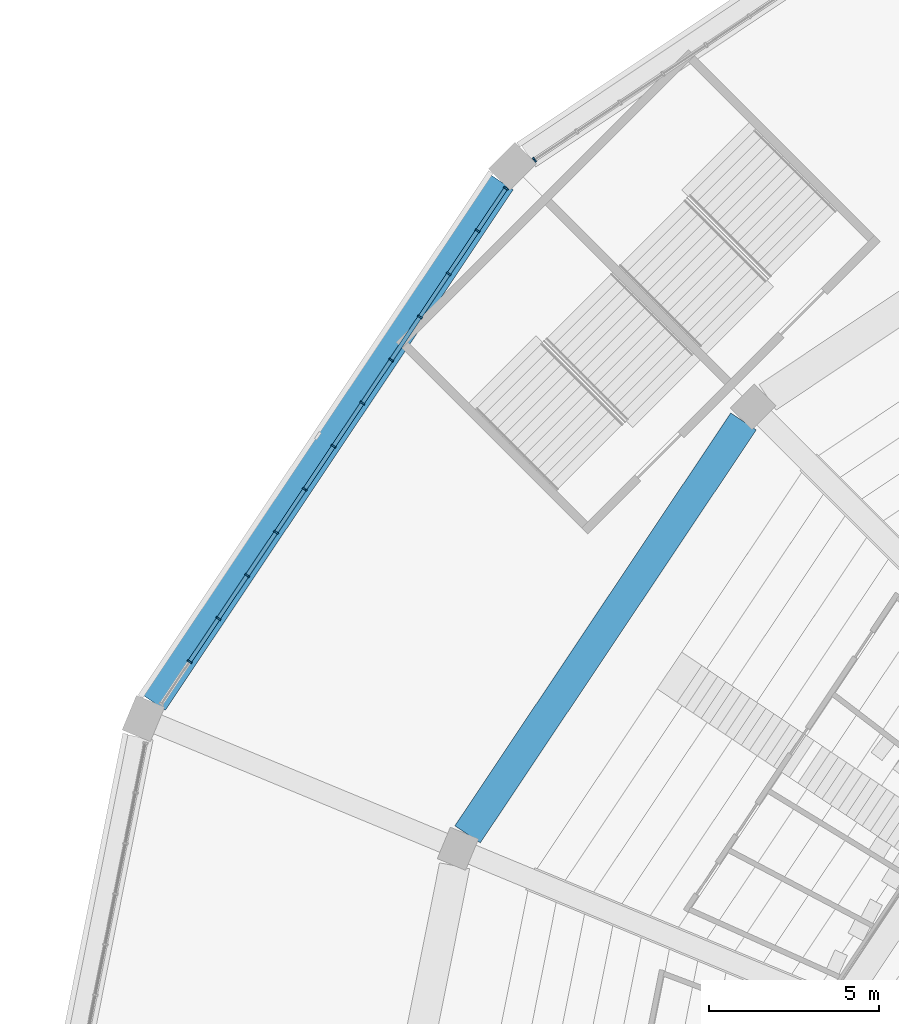
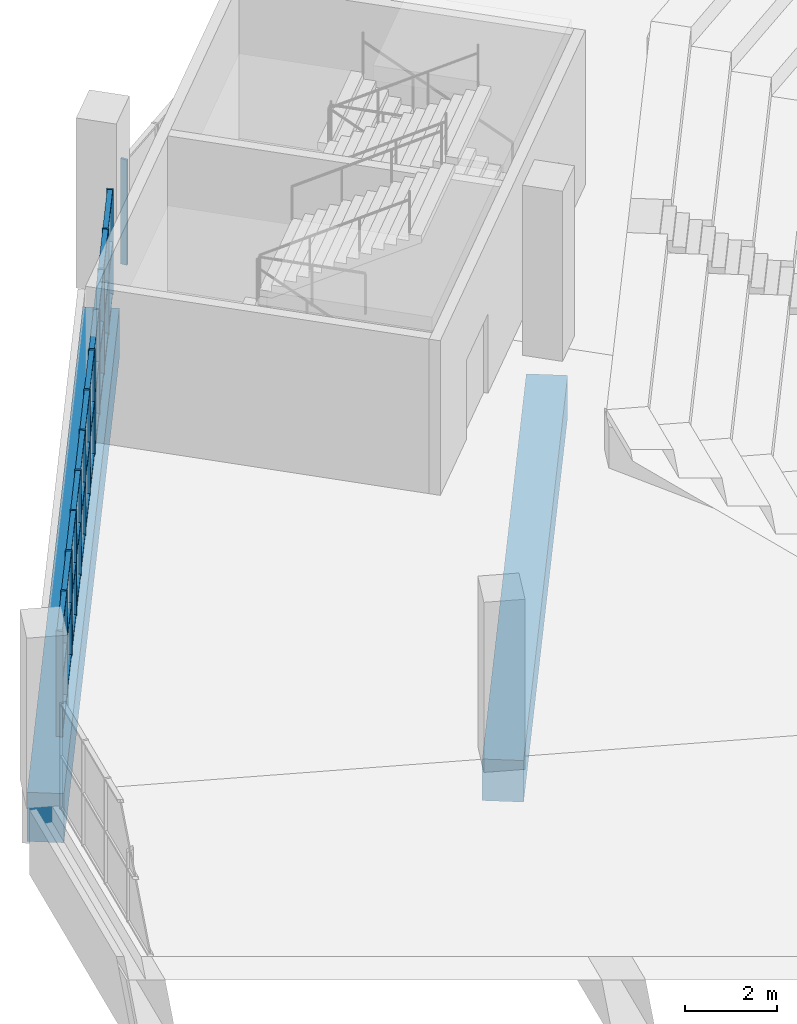
# One storey, part 45 of 249: 46 members, 2 beams, 2 elements without a shape of their own.
"""IFC4 building model written with IfcOpenShell, lengths in metres."""

from ifc_helpers import new_model, si_unit, direction, frame, origin, origin_2d, place, context, subcontext, project, spatial, rectangle, extrude, material, material_profile, profile_set, type_object, element, aggregate, save


model = new_model("IFC4")

# Units and contexts
model_context = context("Model", 3, precision=1e-05, world=origin(), true_north=direction((0.0, 1.0)))
body_context = subcontext(model_context, "Body", "Model", "MODEL_VIEW")
ifc_project = project(units=[si_unit("LENGTHUNIT", "METRE"), si_unit("AREAUNIT", "SQUARE_METRE"), si_unit("VOLUMEUNIT", "CUBIC_METRE"), si_unit("PLANEANGLEUNIT", "RADIAN"), si_unit("MASSUNIT", "GRAM", prefix="KILO")], contexts=[model_context])

# Site, building, storey
site_placement = place(None, origin())
site = spatial("IfcSite", under=ifc_project, at=site_placement, CompositionType="ELEMENT")
building_placement = place(site_placement, origin())
building = spatial("IfcBuilding", under=site, at=building_placement, Name="Ogive Plaza Stadium", CompositionType="ELEMENT")
storey_placement = place(building_placement, frame((0.0, 0.0, 13.5)))
storey = spatial("IfcBuildingStorey", under=building, at=storey_placement, Name="L03", CompositionType="ELEMENT", Elevation=13.5)

# Curtain wall, members
ifc_material_1 = material(Name="Bronze-anodised aluminium with laminated glass", Category="aluminium")
curtain_wall_type = type_object("IfcCurtainWallType", Name="Lancet curtain wall", PredefinedType="NOTDEFINED", material=ifc_material_1)
curtain_wall_1_placement = place(storey_placement, origin())
curtain_wall_1 = element("IfcCurtainWall", 1, at=curtain_wall_1_placement, inside=storey, type_object=curtain_wall_type, Name="CURTAIN WALL B29 L03", PredefinedType="NOTDEFINED")
ifc_material_2 = material(Name="Bronze-anodised aluminium", Category="aluminium")
ifc_material_profile_1 = material_profile(ifc_material_2, rectangle(XDim=0.14990234375, YDim=0.050048828125, at=origin_2d()), Name="AL 150x50")
ifc_profile_set_1 = profile_set([ifc_material_profile_1], Name="Bronze-anodised aluminium")
member_type_1 = type_object("IfcMemberType", Name="Curtain wall mullion 50x150", PredefinedType="MULLION", material=ifc_profile_set_1)
member_1_placement = place(storey_placement, frame((-78.837158203125, 73.3046875, 0.0), z_axis=(0.0, 0.0, 1.0), x_axis=(-0.831469612303, 0.55557023302, 0.0)))
member_1 = element("IfcMember", 2, at=member_1_placement, type_object=member_type_1, Name="CW-B29-L03 mullion 2", PredefinedType="MULLION", context=body_context, shape_type="SweptSolid", body=[
    extrude(rectangle(XDim=0.14990234375, YDim=0.050048828125, at=origin_2d()), origin(), (0.0, 0.0, 1.0), 2.7900390625),
])
member_2_placement = place(storey_placement, frame((-77.991455078125, 74.570556640625, 0.0), z_axis=(0.0, 0.0, 1.0), x_axis=(-0.831469612303, 0.55557023302, 0.0)))
member_2 = element("IfcMember", 3, at=member_2_placement, type_object=member_type_1, Name="CW-B29-L03 mullion 3", PredefinedType="MULLION", context=body_context, shape_type="SweptSolid", body=[
    extrude(rectangle(XDim=0.14990234375, YDim=0.050048828125, at=origin_2d()), origin(), (0.0, 0.0, 1.0), 2.7900390625),
])
member_3_placement = place(storey_placement, frame((-77.145751953125, 75.836181640625, 0.0), z_axis=(0.0, 0.0, 1.0), x_axis=(-0.831469612303, 0.55557023302, 0.0)))
member_3 = element("IfcMember", 4, at=member_3_placement, type_object=member_type_1, Name="CW-B29-L03 mullion 4", PredefinedType="MULLION", context=body_context, shape_type="SweptSolid", body=[
    extrude(rectangle(XDim=0.14990234375, YDim=0.050048828125, at=origin_2d()), origin(), (0.0, 0.0, 1.0), 2.7900390625),
])
member_4_placement = place(storey_placement, frame((-76.2998046875, 77.10205078125, 0.0), z_axis=(0.0, 0.0, 1.0), x_axis=(-0.831469612303, 0.55557023302, 0.0)))
member_4 = element("IfcMember", 5, at=member_4_placement, type_object=member_type_1, Name="CW-B29-L03 mullion 5", PredefinedType="MULLION", context=body_context, shape_type="SweptSolid", body=[
    extrude(rectangle(XDim=0.14990234375, YDim=0.050048828125, at=origin_2d()), origin(), (0.0, 0.0, 1.0), 2.7900390625),
])
member_5_placement = place(storey_placement, frame((-75.4541015625, 78.367919921875, 0.0), z_axis=(0.0, 0.0, 1.0), x_axis=(-0.831469612303, 0.55557023302, 0.0)))
member_5 = element("IfcMember", 6, at=member_5_placement, type_object=member_type_1, Name="CW-B29-L03 mullion 6", PredefinedType="MULLION", context=body_context, shape_type="SweptSolid", body=[
    extrude(rectangle(XDim=0.14990234375, YDim=0.050048828125, at=origin_2d()), origin(), (0.0, 0.0, 1.0), 2.7900390625),
])
member_6_placement = place(storey_placement, frame((-74.6083984375, 79.633544921875, 0.0), z_axis=(0.0, 0.0, 1.0), x_axis=(-0.831469612303, 0.55557023302, 0.0)))
member_6 = element("IfcMember", 7, at=member_6_placement, type_object=member_type_1, Name="CW-B29-L03 mullion 7", PredefinedType="MULLION", context=body_context, shape_type="SweptSolid", body=[
    extrude(rectangle(XDim=0.14990234375, YDim=0.050048828125, at=origin_2d()), origin(), (0.0, 0.0, 1.0), 2.7900390625),
])
member_7_placement = place(storey_placement, frame((-73.7626953125, 80.8994140625, 0.0), z_axis=(0.0, 0.0, 1.0), x_axis=(-0.831469612303, 0.55557023302, 0.0)))
member_7 = element("IfcMember", 8, at=member_7_placement, type_object=member_type_1, Name="CW-B29-L03 mullion 8", PredefinedType="MULLION", context=body_context, shape_type="SweptSolid", body=[
    extrude(rectangle(XDim=0.14990234375, YDim=0.050048828125, at=origin_2d()), origin(), (0.0, 0.0, 1.0), 2.7900390625),
])
member_8_placement = place(storey_placement, frame((-72.916748046875, 82.165283203125, 0.0), z_axis=(0.0, 0.0, 1.0), x_axis=(-0.831469612303, 0.55557023302, 0.0)))
member_8 = element("IfcMember", 9, at=member_8_placement, type_object=member_type_1, Name="CW-B29-L03 mullion 9", PredefinedType="MULLION", context=body_context, shape_type="SweptSolid", body=[
    extrude(rectangle(XDim=0.14990234375, YDim=0.050048828125, at=origin_2d()), origin(), (0.0, 0.0, 1.0), 2.7900390625),
])
member_9_placement = place(storey_placement, frame((-72.071044921875, 83.430908203125, 0.0), z_axis=(0.0, 0.0, 1.0), x_axis=(-0.831469612303, 0.55557023302, 0.0)))
member_9 = element("IfcMember", 10, at=member_9_placement, type_object=member_type_1, Name="CW-B29-L03 mullion 10", PredefinedType="MULLION", context=body_context, shape_type="SweptSolid", body=[
    extrude(rectangle(XDim=0.14990234375, YDim=0.050048828125, at=origin_2d()), origin(), (0.0, 0.0, 1.0), 2.7900390625),
])
member_10_placement = place(storey_placement, frame((-71.225341796875, 84.69677734375, 0.0), z_axis=(0.0, 0.0, 1.0), x_axis=(-0.831469612303, 0.55557023302, 0.0)))
member_10 = element("IfcMember", 11, at=member_10_placement, type_object=member_type_1, Name="CW-B29-L03 mullion 11", PredefinedType="MULLION", context=body_context, shape_type="SweptSolid", body=[
    extrude(rectangle(XDim=0.14990234375, YDim=0.050048828125, at=origin_2d()), origin(), (0.0, 0.0, 1.0), 2.7900390625),
])
member_11_placement = place(storey_placement, frame((-70.379638671875, 85.962646484375, 0.0), z_axis=(0.0, 0.0, 1.0), x_axis=(-0.831469612303, 0.55557023302, 0.0)))
member_11 = element("IfcMember", 12, at=member_11_placement, type_object=member_type_1, Name="CW-B29-L03 mullion 12", PredefinedType="MULLION", context=body_context, shape_type="SweptSolid", body=[
    extrude(rectangle(XDim=0.14990234375, YDim=0.050048828125, at=origin_2d()), origin(), (0.0, 0.0, 1.0), 2.7900390625),
])
member_12_placement = place(storey_placement, frame((-69.547607421875, 87.20751953125, 0.0), z_axis=(0.0, 0.0, 1.0), x_axis=(-0.831469612303, 0.55557023302, 0.0)))
member_12 = element("IfcMember", 13, at=member_12_placement, type_object=member_type_1, Name="CW-B29-L03 mullion 13", PredefinedType="MULLION", context=body_context, shape_type="SweptSolid", body=[
    extrude(rectangle(XDim=0.14990234375, YDim=0.050048828125, at=origin_2d()), origin(), (0.0, 0.0, 1.0), 2.7900390625),
])

# Curtain wall, member
curtain_wall_2_placement = place(storey_placement, origin())
curtain_wall_2 = element("IfcCurtainWall", 14, at=curtain_wall_2_placement, inside=storey, type_object=curtain_wall_type, Name="CURTAIN WALL B30 L03", PredefinedType="NOTDEFINED")
member_13_placement = place(storey_placement, frame((-68.70751953125, 88.047607421875, 0.0), z_axis=(0.0, 0.0, 1.0), x_axis=(-0.55557023302, 0.831469612303, 0.0)))
member_13 = element("IfcMember", 15, at=member_13_placement, type_object=member_type_1, Name="CW-B30-L03 mullion 1", PredefinedType="MULLION", context=body_context, shape_type="SweptSolid", body=[
    extrude(rectangle(XDim=0.14990234375, YDim=0.050048828125, at=origin_2d()), origin(), (0.0, 0.0, 1.0), 2.7900390625),
])
aggregate(curtain_wall_2, [member_13])

# Member
ifc_material_3 = material(Name="Bronze-anodised aluminium", Category="aluminium")
ifc_material_profile_2 = material_profile(ifc_material_3, rectangle(XDim=0.1201171875, YDim=0.050048828125, at=origin_2d()), Name="AL 120x50")
ifc_profile_set_2 = profile_set([ifc_material_profile_2], Name="Bronze-anodised aluminium")
member_type_2 = type_object("IfcMemberType", Name="Curtain wall transom 50x120", PredefinedType="USERDEFINED", material=ifc_profile_set_2)
member_14_placement = place(storey_placement, frame((-78.8232421875, 73.325439453125, 0.02490234375), z_axis=(0.555465240925, 0.83153975619, 0.0), x_axis=(-0.83153975619, 0.555465240925, 0.0)))
member_14 = element("IfcMember", 16, at=member_14_placement, type_object=member_type_2, Name="CW-B29-L03 transom 2.1", ObjectType="TRANSOM", PredefinedType="USERDEFINED", context=body_context, shape_type="SweptSolid", body=[
    extrude(rectangle(XDim=0.1201171875, YDim=0.050048828125, at=origin_2d()), origin(), (0.0, 0.0, 1.0), 1.472412109375),
])

member_15_placement = place(storey_placement, frame((-78.8232421875, 73.325439453125, 1.39501953125), z_axis=(0.555465240925, 0.83153975619, 0.0), x_axis=(-0.83153975619, 0.555465240925, 0.0)))
member_15 = element("IfcMember", 17, at=member_15_placement, type_object=member_type_2, Name="CW-B29-L03 transom 2.2", ObjectType="TRANSOM", PredefinedType="USERDEFINED", context=body_context, shape_type="SweptSolid", body=[
    extrude(rectangle(XDim=0.1201171875, YDim=0.050048828125, at=origin_2d()), origin(), (0.0, 0.0, 1.0), 1.472412109375),
])

member_16_placement = place(storey_placement, frame((-78.8232421875, 73.325439453125, 2.764892578125), z_axis=(0.555465240925, 0.83153975619, 0.0), x_axis=(-0.83153975619, 0.555465240925, 0.0)))
member_16 = element("IfcMember", 18, at=member_16_placement, type_object=member_type_2, Name="CW-B29-L03 transom 2.3", ObjectType="TRANSOM", PredefinedType="USERDEFINED", context=body_context, shape_type="SweptSolid", body=[
    extrude(rectangle(XDim=0.1201171875, YDim=0.050048828125, at=origin_2d()), origin(), (0.0, 0.0, 1.0), 1.472412109375),
])

member_17_placement = place(storey_placement, frame((-77.9775390625, 74.59130859375, 0.02490234375), z_axis=(0.555541835587, 0.831488586159, 0.0), x_axis=(-0.831488586159, 0.555541835587, 0.0)))
member_17 = element("IfcMember", 19, at=member_17_placement, type_object=member_type_2, Name="CW-B29-L03 transom 3.1", ObjectType="TRANSOM", PredefinedType="USERDEFINED", context=body_context, shape_type="SweptSolid", body=[
    extrude(rectangle(XDim=0.1201171875, YDim=0.050048828125, at=origin_2d()), origin(), (0.0, 0.0, 1.0), 1.47216796875),
])

member_18_placement = place(storey_placement, frame((-77.9775390625, 74.59130859375, 1.39501953125), z_axis=(0.555541835587, 0.831488586159, 0.0), x_axis=(-0.831488586159, 0.555541835587, 0.0)))
member_18 = element("IfcMember", 20, at=member_18_placement, type_object=member_type_2, Name="CW-B29-L03 transom 3.2", ObjectType="TRANSOM", PredefinedType="USERDEFINED", context=body_context, shape_type="SweptSolid", body=[
    extrude(rectangle(XDim=0.1201171875, YDim=0.050048828125, at=origin_2d()), origin(), (0.0, 0.0, 1.0), 1.47216796875),
])

member_19_placement = place(storey_placement, frame((-77.9775390625, 74.59130859375, 2.764892578125), z_axis=(0.555541835587, 0.831488586159, 0.0), x_axis=(-0.831488586159, 0.555541835587, 0.0)))
member_19 = element("IfcMember", 21, at=member_19_placement, type_object=member_type_2, Name="CW-B29-L03 transom 3.3", ObjectType="TRANSOM", PredefinedType="USERDEFINED", context=body_context, shape_type="SweptSolid", body=[
    extrude(rectangle(XDim=0.1201171875, YDim=0.050048828125, at=origin_2d()), origin(), (0.0, 0.0, 1.0), 1.47216796875),
])

member_20_placement = place(storey_placement, frame((-77.1318359375, 75.857177734375, 0.02490234375), z_axis=(0.555656472512, 0.831411982446, 0.0), x_axis=(-0.831411982446, 0.555656472512, 0.0)))
member_20 = element("IfcMember", 22, at=member_20_placement, type_object=member_type_2, Name="CW-B29-L03 transom 4.1", ObjectType="TRANSOM", PredefinedType="USERDEFINED", context=body_context, shape_type="SweptSolid", body=[
    extrude(rectangle(XDim=0.1201171875, YDim=0.050048828125, at=origin_2d()), origin(), (0.0, 0.0, 1.0), 1.472412109375),
])

member_21_placement = place(storey_placement, frame((-77.1318359375, 75.857177734375, 1.39501953125), z_axis=(0.555656472512, 0.831411982446, 0.0), x_axis=(-0.831411982446, 0.555656472512, 0.0)))
member_21 = element("IfcMember", 23, at=member_21_placement, type_object=member_type_2, Name="CW-B29-L03 transom 4.2", ObjectType="TRANSOM", PredefinedType="USERDEFINED", context=body_context, shape_type="SweptSolid", body=[
    extrude(rectangle(XDim=0.1201171875, YDim=0.050048828125, at=origin_2d()), origin(), (0.0, 0.0, 1.0), 1.472412109375),
])

member_22_placement = place(storey_placement, frame((-77.1318359375, 75.857177734375, 2.764892578125), z_axis=(0.555656472512, 0.831411982446, 0.0), x_axis=(-0.831411982446, 0.555656472512, 0.0)))
member_22 = element("IfcMember", 24, at=member_22_placement, type_object=member_type_2, Name="CW-B29-L03 transom 4.3", ObjectType="TRANSOM", PredefinedType="USERDEFINED", context=body_context, shape_type="SweptSolid", body=[
    extrude(rectangle(XDim=0.1201171875, YDim=0.050048828125, at=origin_2d()), origin(), (0.0, 0.0, 1.0), 1.472412109375),
])

member_23_placement = place(storey_placement, frame((-76.2861328125, 77.122802734375, 0.02490234375), z_axis=(0.555579876157, 0.831463168883, 0.0), x_axis=(-0.831463168883, 0.555579876157, 0.0)))
member_23 = element("IfcMember", 25, at=member_23_placement, type_object=member_type_2, Name="CW-B29-L03 transom 5.1", ObjectType="TRANSOM", PredefinedType="USERDEFINED", context=body_context, shape_type="SweptSolid", body=[
    extrude(rectangle(XDim=0.1201171875, YDim=0.050048828125, at=origin_2d()), origin(), (0.0, 0.0, 1.0), 1.47265625),
])

member_24_placement = place(storey_placement, frame((-76.2861328125, 77.122802734375, 1.39501953125), z_axis=(0.555579876157, 0.831463168883, 0.0), x_axis=(-0.831463168883, 0.555579876157, 0.0)))
member_24 = element("IfcMember", 26, at=member_24_placement, type_object=member_type_2, Name="CW-B29-L03 transom 5.2", ObjectType="TRANSOM", PredefinedType="USERDEFINED", context=body_context, shape_type="SweptSolid", body=[
    extrude(rectangle(XDim=0.1201171875, YDim=0.050048828125, at=origin_2d()), origin(), (0.0, 0.0, 1.0), 1.47265625),
])

member_25_placement = place(storey_placement, frame((-76.2861328125, 77.122802734375, 2.764892578125), z_axis=(0.555579876157, 0.831463168883, 0.0), x_axis=(-0.831463168883, 0.555579876157, 0.0)))
member_25 = element("IfcMember", 27, at=member_25_placement, type_object=member_type_2, Name="CW-B29-L03 transom 5.3", ObjectType="TRANSOM", PredefinedType="USERDEFINED", context=body_context, shape_type="SweptSolid", body=[
    extrude(rectangle(XDim=0.1201171875, YDim=0.050048828125, at=origin_2d()), origin(), (0.0, 0.0, 1.0), 1.47265625),
])

member_26_placement = place(storey_placement, frame((-75.440185546875, 78.388671875, 0.02490234375), z_axis=(0.555541835587, 0.831488586159, 0.0), x_axis=(-0.831488586159, 0.555541835587, 0.0)))
member_26 = element("IfcMember", 28, at=member_26_placement, type_object=member_type_2, Name="CW-B29-L03 transom 6.1", ObjectType="TRANSOM", PredefinedType="USERDEFINED", context=body_context, shape_type="SweptSolid", body=[
    extrude(rectangle(XDim=0.1201171875, YDim=0.050048828125, at=origin_2d()), origin(), (0.0, 0.0, 1.0), 1.47216796875),
])

member_27_placement = place(storey_placement, frame((-75.440185546875, 78.388671875, 1.39501953125), z_axis=(0.555541835587, 0.831488586159, 0.0), x_axis=(-0.831488586159, 0.555541835587, 0.0)))
member_27 = element("IfcMember", 29, at=member_27_placement, type_object=member_type_2, Name="CW-B29-L03 transom 6.2", ObjectType="TRANSOM", PredefinedType="USERDEFINED", context=body_context, shape_type="SweptSolid", body=[
    extrude(rectangle(XDim=0.1201171875, YDim=0.050048828125, at=origin_2d()), origin(), (0.0, 0.0, 1.0), 1.47216796875),
])

member_28_placement = place(storey_placement, frame((-75.440185546875, 78.388671875, 2.764892578125), z_axis=(0.555541835587, 0.831488586159, 0.0), x_axis=(-0.831488586159, 0.555541835587, 0.0)))
member_28 = element("IfcMember", 30, at=member_28_placement, type_object=member_type_2, Name="CW-B29-L03 transom 6.3", ObjectType="TRANSOM", PredefinedType="USERDEFINED", context=body_context, shape_type="SweptSolid", body=[
    extrude(rectangle(XDim=0.1201171875, YDim=0.050048828125, at=origin_2d()), origin(), (0.0, 0.0, 1.0), 1.47216796875),
])

member_29_placement = place(storey_placement, frame((-74.594482421875, 79.654541015625, 0.02490234375), z_axis=(0.555656472512, 0.831411982446, 0.0), x_axis=(-0.831411982446, 0.555656472512, 0.0)))
member_29 = element("IfcMember", 31, at=member_29_placement, type_object=member_type_2, Name="CW-B29-L03 transom 7.1", ObjectType="TRANSOM", PredefinedType="USERDEFINED", context=body_context, shape_type="SweptSolid", body=[
    extrude(rectangle(XDim=0.1201171875, YDim=0.050048828125, at=origin_2d()), origin(), (0.0, 0.0, 1.0), 1.472412109375),
])

member_30_placement = place(storey_placement, frame((-74.594482421875, 79.654541015625, 1.39501953125), z_axis=(0.555656472512, 0.831411982446, 0.0), x_axis=(-0.831411982446, 0.555656472512, 0.0)))
member_30 = element("IfcMember", 32, at=member_30_placement, type_object=member_type_2, Name="CW-B29-L03 transom 7.2", ObjectType="TRANSOM", PredefinedType="USERDEFINED", context=body_context, shape_type="SweptSolid", body=[
    extrude(rectangle(XDim=0.1201171875, YDim=0.050048828125, at=origin_2d()), origin(), (0.0, 0.0, 1.0), 1.472412109375),
])

member_31_placement = place(storey_placement, frame((-74.594482421875, 79.654541015625, 2.764892578125), z_axis=(0.555656472512, 0.831411982446, 0.0), x_axis=(-0.831411982446, 0.555656472512, 0.0)))
member_31 = element("IfcMember", 33, at=member_31_placement, type_object=member_type_2, Name="CW-B29-L03 transom 7.3", ObjectType="TRANSOM", PredefinedType="USERDEFINED", context=body_context, shape_type="SweptSolid", body=[
    extrude(rectangle(XDim=0.1201171875, YDim=0.050048828125, at=origin_2d()), origin(), (0.0, 0.0, 1.0), 1.472412109375),
])

member_32_placement = place(storey_placement, frame((-73.748779296875, 80.920166015625, 0.02490234375), z_axis=(0.555579876157, 0.831463168883, 0.0), x_axis=(-0.831463168883, 0.555579876157, 0.0)))
member_32 = element("IfcMember", 34, at=member_32_placement, type_object=member_type_2, Name="CW-B29-L03 transom 8.1", ObjectType="TRANSOM", PredefinedType="USERDEFINED", context=body_context, shape_type="SweptSolid", body=[
    extrude(rectangle(XDim=0.1201171875, YDim=0.050048828125, at=origin_2d()), origin(), (0.0, 0.0, 1.0), 1.47265625),
])

member_33_placement = place(storey_placement, frame((-73.748779296875, 80.920166015625, 1.39501953125), z_axis=(0.555579876157, 0.831463168883, 0.0), x_axis=(-0.831463168883, 0.555579876157, 0.0)))
member_33 = element("IfcMember", 35, at=member_33_placement, type_object=member_type_2, Name="CW-B29-L03 transom 8.2", ObjectType="TRANSOM", PredefinedType="USERDEFINED", context=body_context, shape_type="SweptSolid", body=[
    extrude(rectangle(XDim=0.1201171875, YDim=0.050048828125, at=origin_2d()), origin(), (0.0, 0.0, 1.0), 1.47265625),
])

member_34_placement = place(storey_placement, frame((-73.748779296875, 80.920166015625, 2.764892578125), z_axis=(0.555579876157, 0.831463168883, 0.0), x_axis=(-0.831463168883, 0.555579876157, 0.0)))
member_34 = element("IfcMember", 36, at=member_34_placement, type_object=member_type_2, Name="CW-B29-L03 transom 8.3", ObjectType="TRANSOM", PredefinedType="USERDEFINED", context=body_context, shape_type="SweptSolid", body=[
    extrude(rectangle(XDim=0.1201171875, YDim=0.050048828125, at=origin_2d()), origin(), (0.0, 0.0, 1.0), 1.47265625),
])

member_35_placement = place(storey_placement, frame((-72.90283203125, 82.18603515625, 0.02490234375), z_axis=(0.555541835587, 0.831488586159, 0.0), x_axis=(-0.831488586159, 0.555541835587, 0.0)))
member_35 = element("IfcMember", 37, at=member_35_placement, type_object=member_type_2, Name="CW-B29-L03 transom 9.1", ObjectType="TRANSOM", PredefinedType="USERDEFINED", context=body_context, shape_type="SweptSolid", body=[
    extrude(rectangle(XDim=0.1201171875, YDim=0.050048828125, at=origin_2d()), origin(), (0.0, 0.0, 1.0), 1.47216796875),
])

member_36_placement = place(storey_placement, frame((-72.90283203125, 82.18603515625, 1.39501953125), z_axis=(0.555541835587, 0.831488586159, 0.0), x_axis=(-0.831488586159, 0.555541835587, 0.0)))
member_36 = element("IfcMember", 38, at=member_36_placement, type_object=member_type_2, Name="CW-B29-L03 transom 9.2", ObjectType="TRANSOM", PredefinedType="USERDEFINED", context=body_context, shape_type="SweptSolid", body=[
    extrude(rectangle(XDim=0.1201171875, YDim=0.050048828125, at=origin_2d()), origin(), (0.0, 0.0, 1.0), 1.47216796875),
])

member_37_placement = place(storey_placement, frame((-72.90283203125, 82.18603515625, 2.764892578125), z_axis=(0.555541835587, 0.831488586159, 0.0), x_axis=(-0.831488586159, 0.555541835587, 0.0)))
member_37 = element("IfcMember", 39, at=member_37_placement, type_object=member_type_2, Name="CW-B29-L03 transom 9.3", ObjectType="TRANSOM", PredefinedType="USERDEFINED", context=body_context, shape_type="SweptSolid", body=[
    extrude(rectangle(XDim=0.1201171875, YDim=0.050048828125, at=origin_2d()), origin(), (0.0, 0.0, 1.0), 1.47216796875),
])

member_38_placement = place(storey_placement, frame((-72.05712890625, 83.45166015625, 0.02490234375), z_axis=(0.555465240925, 0.83153975619, 0.0), x_axis=(-0.83153975619, 0.555465240925, 0.0)))
member_38 = element("IfcMember", 40, at=member_38_placement, type_object=member_type_2, Name="CW-B29-L03 transom 10.1", ObjectType="TRANSOM", PredefinedType="USERDEFINED", context=body_context, shape_type="SweptSolid", body=[
    extrude(rectangle(XDim=0.1201171875, YDim=0.050048828125, at=origin_2d()), origin(), (0.0, 0.0, 1.0), 1.472412109375),
])

member_39_placement = place(storey_placement, frame((-72.05712890625, 83.45166015625, 1.39501953125), z_axis=(0.555465240925, 0.83153975619, 0.0), x_axis=(-0.83153975619, 0.555465240925, 0.0)))
member_39 = element("IfcMember", 41, at=member_39_placement, type_object=member_type_2, Name="CW-B29-L03 transom 10.2", ObjectType="TRANSOM", PredefinedType="USERDEFINED", context=body_context, shape_type="SweptSolid", body=[
    extrude(rectangle(XDim=0.1201171875, YDim=0.050048828125, at=origin_2d()), origin(), (0.0, 0.0, 1.0), 1.472412109375),
])

member_40_placement = place(storey_placement, frame((-72.05712890625, 83.45166015625, 2.764892578125), z_axis=(0.555465240925, 0.83153975619, 0.0), x_axis=(-0.83153975619, 0.555465240925, 0.0)))
member_40 = element("IfcMember", 42, at=member_40_placement, type_object=member_type_2, Name="CW-B29-L03 transom 10.3", ObjectType="TRANSOM", PredefinedType="USERDEFINED", context=body_context, shape_type="SweptSolid", body=[
    extrude(rectangle(XDim=0.1201171875, YDim=0.050048828125, at=origin_2d()), origin(), (0.0, 0.0, 1.0), 1.472412109375),
])

member_41_placement = place(storey_placement, frame((-71.21142578125, 84.717529296875, 0.02490234375), z_axis=(0.555656472512, 0.831411982446, 0.0), x_axis=(-0.831411982446, 0.555656472512, 0.0)))
member_41 = element("IfcMember", 43, at=member_41_placement, type_object=member_type_2, Name="CW-B29-L03 transom 11.1", ObjectType="TRANSOM", PredefinedType="USERDEFINED", context=body_context, shape_type="SweptSolid", body=[
    extrude(rectangle(XDim=0.1201171875, YDim=0.050048828125, at=origin_2d()), origin(), (0.0, 0.0, 1.0), 1.472412109375),
])

member_42_placement = place(storey_placement, frame((-71.21142578125, 84.717529296875, 1.39501953125), z_axis=(0.555656472512, 0.831411982446, 0.0), x_axis=(-0.831411982446, 0.555656472512, 0.0)))
member_42 = element("IfcMember", 44, at=member_42_placement, type_object=member_type_2, Name="CW-B29-L03 transom 11.2", ObjectType="TRANSOM", PredefinedType="USERDEFINED", context=body_context, shape_type="SweptSolid", body=[
    extrude(rectangle(XDim=0.1201171875, YDim=0.050048828125, at=origin_2d()), origin(), (0.0, 0.0, 1.0), 1.472412109375),
])

member_43_placement = place(storey_placement, frame((-71.21142578125, 84.717529296875, 2.764892578125), z_axis=(0.555656472512, 0.831411982446, 0.0), x_axis=(-0.831411982446, 0.555656472512, 0.0)))
member_43 = element("IfcMember", 45, at=member_43_placement, type_object=member_type_2, Name="CW-B29-L03 transom 11.3", ObjectType="TRANSOM", PredefinedType="USERDEFINED", context=body_context, shape_type="SweptSolid", body=[
    extrude(rectangle(XDim=0.1201171875, YDim=0.050048828125, at=origin_2d()), origin(), (0.0, 0.0, 1.0), 1.472412109375),
])

member_44_placement = place(storey_placement, frame((-70.36572265625, 85.9833984375, 0.02490234375), z_axis=(0.555634077892, 0.831426948977, 0.0), x_axis=(-0.831426948977, 0.555634077892, 0.0)))
member_44 = element("IfcMember", 46, at=member_44_placement, type_object=member_type_2, Name="CW-B29-L03 transom 12.1", ObjectType="TRANSOM", PredefinedType="USERDEFINED", context=body_context, shape_type="SweptSolid", body=[
    extrude(rectangle(XDim=0.1201171875, YDim=0.050048828125, at=origin_2d()), origin(), (0.0, 0.0, 1.0), 1.447265625),
])

member_45_placement = place(storey_placement, frame((-70.36572265625, 85.9833984375, 1.39501953125), z_axis=(0.555634077892, 0.831426948977, 0.0), x_axis=(-0.831426948977, 0.555634077892, 0.0)))
member_45 = element("IfcMember", 47, at=member_45_placement, type_object=member_type_2, Name="CW-B29-L03 transom 12.2", ObjectType="TRANSOM", PredefinedType="USERDEFINED", context=body_context, shape_type="SweptSolid", body=[
    extrude(rectangle(XDim=0.1201171875, YDim=0.050048828125, at=origin_2d()), origin(), (0.0, 0.0, 1.0), 1.447265625),
])

member_46_placement = place(storey_placement, frame((-70.36572265625, 85.9833984375, 2.764892578125), z_axis=(0.555634077892, 0.831426948977, 0.0), x_axis=(-0.831426948977, 0.555634077892, 0.0)))
member_46 = element("IfcMember", 48, at=member_46_placement, type_object=member_type_2, Name="CW-B29-L03 transom 12.3", ObjectType="TRANSOM", PredefinedType="USERDEFINED", context=body_context, shape_type="SweptSolid", body=[
    extrude(rectangle(XDim=0.1201171875, YDim=0.050048828125, at=origin_2d()), origin(), (0.0, 0.0, 1.0), 1.447265625),
])

aggregate(curtain_wall_1, [member_1, member_2, member_3, member_4, member_5, member_6, member_7, member_8, member_9, member_10, member_11, member_12, member_14, member_15, member_16, member_17, member_18, member_19, member_20, member_21, member_22, member_23, member_24, member_25, member_26, member_27, member_28, member_29, member_30, member_31, member_32, member_33, member_34, member_35, member_36, member_37, member_38, member_39, member_40, member_41, member_42, member_43, member_44, member_45, member_46])

# Beams
ifc_material_4 = material(Name="Concrete C40/50", Category="concrete")
ifc_material_profile_3 = material_profile(ifc_material_4, rectangle(XDim=0.89990234375, YDim=1.10009765625, at=origin_2d()), Name="RC 900x1100")
ifc_profile_set_3 = profile_set([ifc_material_profile_3], Name="Concrete C40/50")
beam_type_1 = type_object("IfcBeamType", Name="RC ring beam 900x1100", PredefinedType="BEAM", material=ifc_profile_set_3)
beam_1_placement = place(storey_placement, frame((-70.671875, 68.231201171875, -0.9599609375), z_axis=(0.555572744827, 0.831467933961, 0.0), x_axis=(-0.831467933961, 0.555572744827, 0.0)))
element("IfcBeam", 49, at=beam_1_placement, inside=storey, type_object=beam_type_1, Name="Ring beam F4 L03 B29", PredefinedType="BEAM", context=body_context, shape_type="SweptSolid", body=[
    extrude(rectangle(XDim=0.89990234375, YDim=1.10009765625, at=origin_2d()), origin(), (0.0, 0.0, 1.0), 14.587646484375),
])
ifc_material_5 = material(Name="Concrete C40/50", Category="concrete")
ifc_material_profile_4 = material_profile(ifc_material_5, rectangle(XDim=0.800048828125, YDim=1.300048828125, at=origin_2d()), Name="RC 800x1300")
ifc_profile_set_4 = profile_set([ifc_material_profile_4], Name="Concrete C40/50")
beam_type_2 = type_object("IfcBeamType", Name="RC spandrel beam 800x1300", PredefinedType="SPANDREL", material=ifc_profile_set_4)
beam_2_placement = place(storey_placement, frame((-79.88232421875, 72.100341796875, -1.06005859375), z_axis=(0.555557833169, 0.831477897484, 0.0), x_axis=(-0.831477897484, 0.555557833169, 0.0)))
element("IfcBeam", 50, at=beam_2_placement, inside=storey, type_object=beam_type_2, Name="Ring beam F5 L03 B29", PredefinedType="SPANDREL", context=body_context, shape_type="SweptSolid", body=[
    extrude(rectangle(XDim=0.800048828125, YDim=1.300048828125, at=origin_2d()), origin(), (0.0, 0.0, 1.0), 18.387451171875),
])

save(model, "model.ifc")
